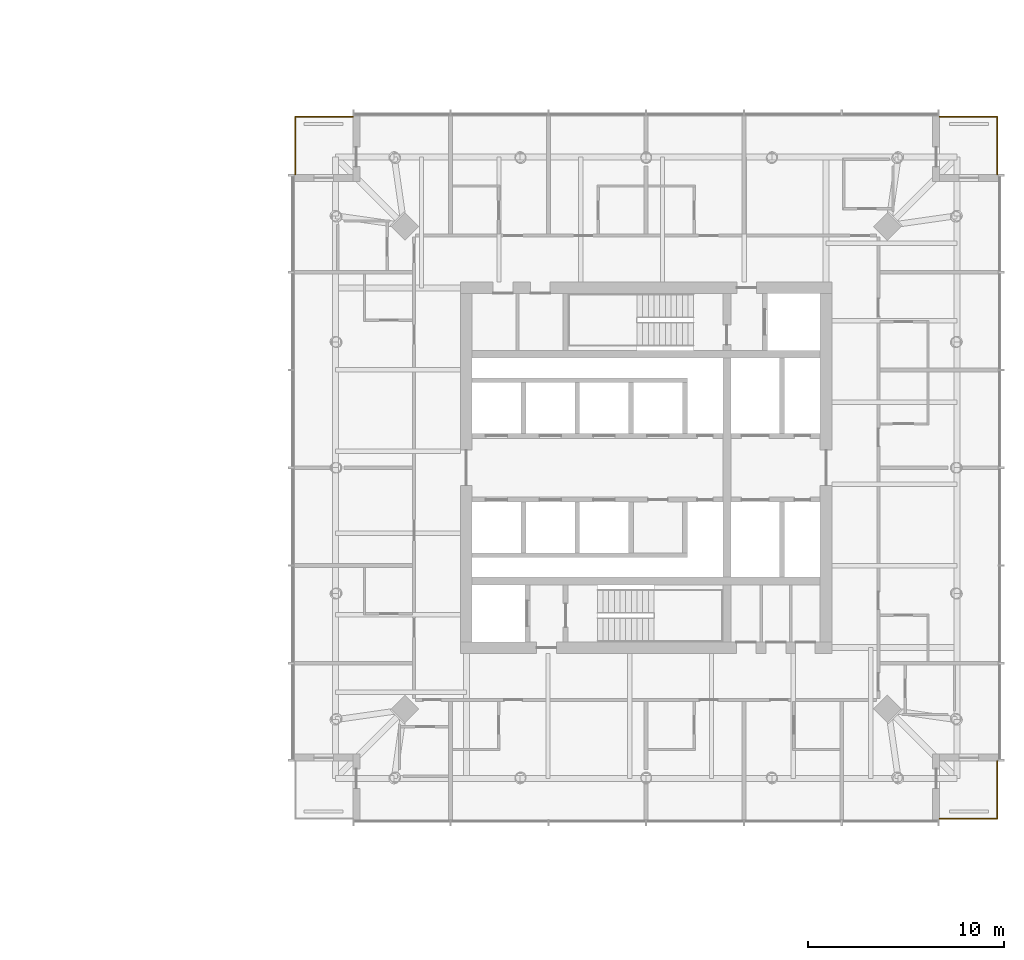
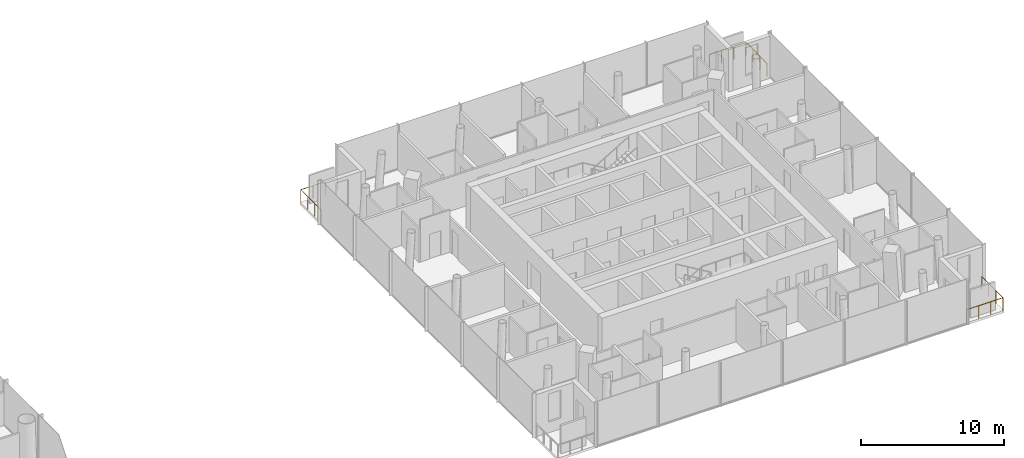
# One storey, part 18 of 18: 3 railings.
"""IFC4 building model written with IfcOpenShell, lengths in metres."""

from ifc_helpers import new_model, si_unit, direction, frame, origin, origin_2d, place, context, subcontext, project, spatial, circle, extrude, material, type_object, element, save


model = new_model("IFC4")

# Units and contexts
model_context = context("Model", 3, precision=1e-05, world=origin(), true_north=direction((0.0, 1.0)))
body_context = subcontext(model_context, "Body", "Model", "MODEL_VIEW")
ifc_project = project(units=[si_unit("LENGTHUNIT", "METRE"), si_unit("AREAUNIT", "SQUARE_METRE"), si_unit("VOLUMEUNIT", "CUBIC_METRE"), si_unit("PLANEANGLEUNIT", "RADIAN"), si_unit("MASSUNIT", "GRAM", prefix="KILO")], contexts=[model_context])

# Site, building, storey
site_placement = place(None, origin())
site = spatial("IfcSite", under=ifc_project, at=site_placement, CompositionType="ELEMENT")
building_placement = place(site_placement, origin())
building = spatial("IfcBuilding", under=site, at=building_placement, Name="Ostroluk Exchange", CompositionType="ELEMENT")
storey_placement = place(building_placement, frame((0.0, 0.0, 93.199951171875)))
storey = spatial("IfcBuildingStorey", under=building, at=storey_placement, Name="L23", CompositionType="ELEMENT", Elevation=93.199951171875)

# Railings
ifc_material = material(Name="Stainless steel", Category="steel")
railing_type = type_object("IfcRailingType", Name="Guard 1100 stainless steel", PredefinedType="GUARDRAIL", material=ifc_material)
railing_1_placement = place(storey_placement, frame((132.0, 28.050048828125, 0.0)))
element("IfcRailing", 1, at=railing_1_placement, inside=storey, type_object=railing_type, Name="Hotel tower SE balcony guard L23", PredefinedType="GUARDRAIL", context=body_context, shape_type="SweptSolid", body=[
    extrude(circle(Radius=0.02392578125, at=origin_2d()), frame((0.0, 0.0, 1.076171875), z_axis=(1.0, 0.0, 0.0), x_axis=(0.0, 1.0, 0.0)), (0.0, 0.0, 1.0), 2.949951171875),
    extrude(circle(Radius=0.02392578125, at=origin_2d()), frame((2.949951171875, 0.0, 1.076171875), z_axis=(0.0, 1.0, 0.0), x_axis=(-1.0, 0.0, 0.0)), (0.0, 0.0, 1.0), 2.949951171875),
    extrude(circle(Radius=0.02099609375, at=origin_2d()), origin(), (0.0, 0.0, 1.0), 1.052001953125),
    extrude(circle(Radius=0.02099609375, at=origin_2d()), frame((0.9833984375, 0.0, 0.0)), (0.0, 0.0, 1.0), 1.052001953125),
    extrude(circle(Radius=0.02099609375, at=origin_2d()), frame((1.966552734375, 0.0, 0.0)), (0.0, 0.0, 1.0), 1.052001953125),
    extrude(circle(Radius=0.02099609375, at=origin_2d()), frame((2.949951171875, 0.0, 0.0)), (0.0, 0.0, 1.0), 1.052001953125),
    extrude(circle(Radius=0.02099609375, at=origin_2d()), frame((2.949951171875, 0.9833984375, 0.0)), (0.0, 0.0, 1.0), 1.052001953125),
    extrude(circle(Radius=0.02099609375, at=origin_2d()), frame((2.949951171875, 1.966552734375, 0.0)), (0.0, 0.0, 1.0), 1.052001953125),
    extrude(circle(Radius=0.02099609375, at=origin_2d()), frame((2.949951171875, 2.949951171875, 0.0)), (0.0, 0.0, 1.0), 1.052001953125),
])
railing_2_placement = place(storey_placement, frame((132.0, 63.949951171875, 0.0)))
element("IfcRailing", 2, at=railing_2_placement, inside=storey, type_object=railing_type, Name="Hotel tower NE balcony guard L23", PredefinedType="GUARDRAIL", context=body_context, shape_type="SweptSolid", body=[
    extrude(circle(Radius=0.02392578125, at=origin_2d()), frame((0.0, 0.0, 1.076171875), z_axis=(1.0, 0.0, 0.0), x_axis=(0.0, 1.0, 0.0)), (0.0, 0.0, 1.0), 2.949951171875),
    extrude(circle(Radius=0.02392578125, at=origin_2d()), frame((2.949951171875, 0.0, 1.076171875), z_axis=(0.0, -1.0, 0.0), x_axis=(1.0, 0.0, 0.0)), (0.0, 0.0, 1.0), 2.949951171875),
    extrude(circle(Radius=0.02099609375, at=origin_2d()), origin(), (0.0, 0.0, 1.0), 1.052001953125),
    extrude(circle(Radius=0.02099609375, at=origin_2d()), frame((0.9833984375, 0.0, 0.0)), (0.0, 0.0, 1.0), 1.052001953125),
    extrude(circle(Radius=0.02099609375, at=origin_2d()), frame((1.966552734375, 0.0, 0.0)), (0.0, 0.0, 1.0), 1.052001953125),
    extrude(circle(Radius=0.02099609375, at=origin_2d()), frame((2.949951171875, 0.0, 0.0)), (0.0, 0.0, 1.0), 1.052001953125),
    extrude(circle(Radius=0.02099609375, at=origin_2d()), frame((2.949951171875, -0.9833984375, 0.0)), (0.0, 0.0, 1.0), 1.052001953125),
    extrude(circle(Radius=0.02099609375, at=origin_2d()), frame((2.949951171875, -1.966552734375, 0.0)), (0.0, 0.0, 1.0), 1.052001953125),
    extrude(circle(Radius=0.02099609375, at=origin_2d()), frame((2.949951171875, -2.949951171875, 0.0)), (0.0, 0.0, 1.0), 1.052001953125),
])
railing_3_placement = place(storey_placement, frame((102.0, 63.949951171875, 0.0)))
element("IfcRailing", 3, at=railing_3_placement, inside=storey, type_object=railing_type, Name="Hotel tower NW balcony guard L23", PredefinedType="GUARDRAIL", context=body_context, shape_type="SweptSolid", body=[
    extrude(circle(Radius=0.02392578125, at=origin_2d()), frame((0.0, 0.0, 1.076171875), z_axis=(-1.0, 0.0, 0.0), x_axis=(0.0, -1.0, 0.0)), (0.0, 0.0, 1.0), 2.949951171875),
    extrude(circle(Radius=0.02392578125, at=origin_2d()), frame((-2.949951171875, 0.0, 1.076171875), z_axis=(0.0, -1.0, 0.0), x_axis=(1.0, 0.0, 0.0)), (0.0, 0.0, 1.0), 2.949951171875),
    extrude(circle(Radius=0.02099609375, at=origin_2d()), origin(), (0.0, 0.0, 1.0), 1.052001953125),
    extrude(circle(Radius=0.02099609375, at=origin_2d()), frame((-0.9833984375, 0.0, 0.0)), (0.0, 0.0, 1.0), 1.052001953125),
    extrude(circle(Radius=0.02099609375, at=origin_2d()), frame((-1.966552734375, 0.0, 0.0)), (0.0, 0.0, 1.0), 1.052001953125),
    extrude(circle(Radius=0.02099609375, at=origin_2d()), frame((-2.949951171875, 0.0, 0.0)), (0.0, 0.0, 1.0), 1.052001953125),
    extrude(circle(Radius=0.02099609375, at=origin_2d()), frame((-2.949951171875, -0.9833984375, 0.0)), (0.0, 0.0, 1.0), 1.052001953125),
    extrude(circle(Radius=0.02099609375, at=origin_2d()), frame((-2.949951171875, -1.966552734375, 0.0)), (0.0, 0.0, 1.0), 1.052001953125),
    extrude(circle(Radius=0.02099609375, at=origin_2d()), frame((-2.949951171875, -2.949951171875, 0.0)), (0.0, 0.0, 1.0), 1.052001953125),
])

save(model, "model.ifc")
